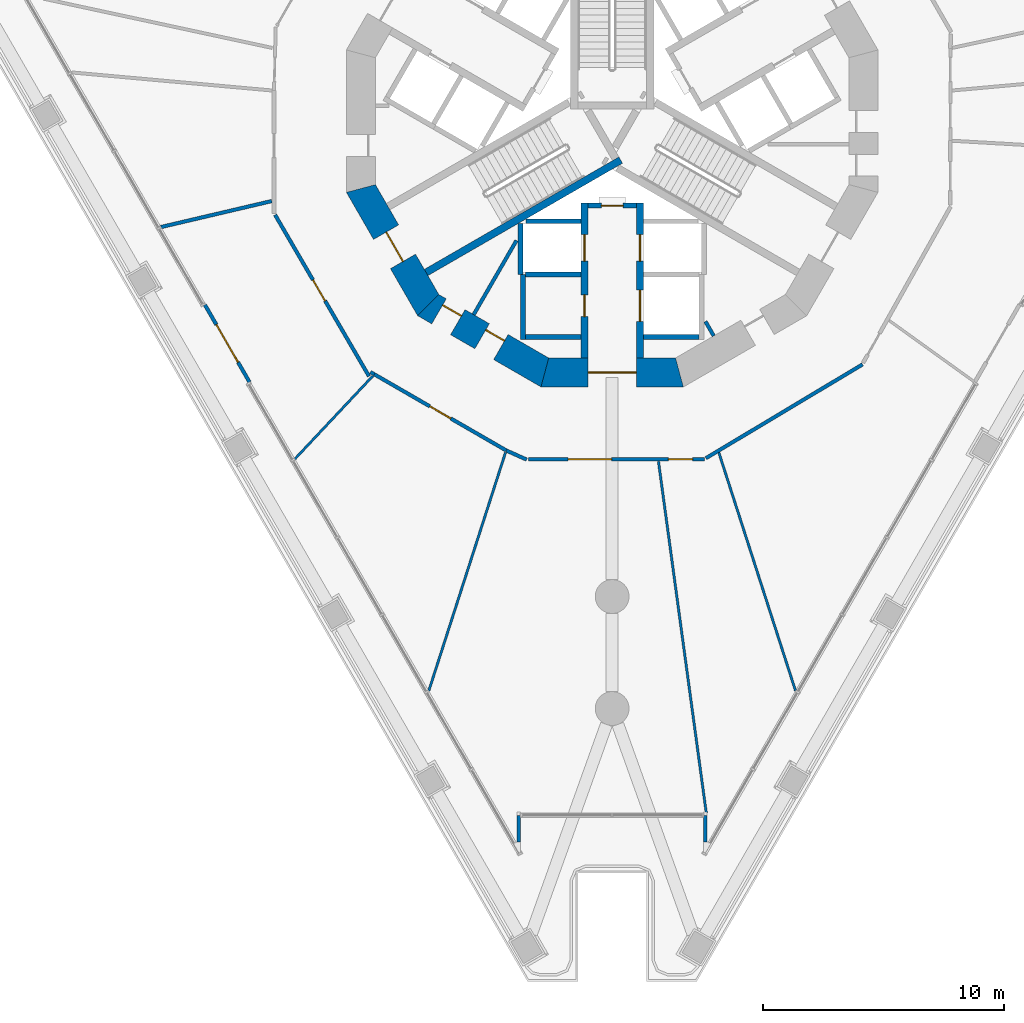
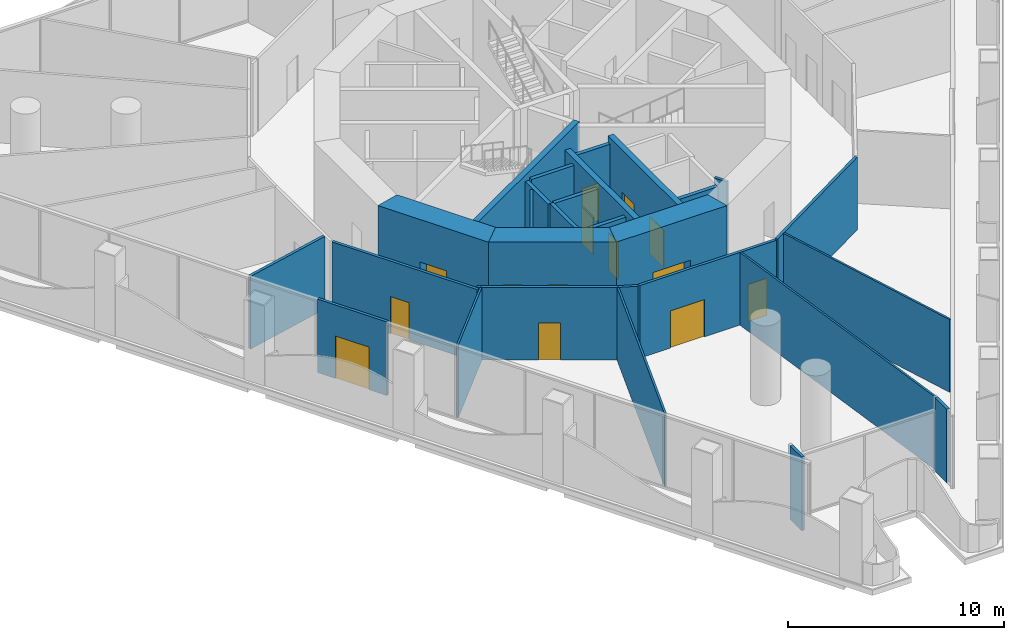
# One storey, part 10 of 22: 29 walls, 14 doors, 14 openings.
"""IFC4 building model written with IfcOpenShell, lengths in metres."""

from ifc_helpers import new_model, si_unit, direction, frame, frame_2d, origin, place, context, subcontext, project, spatial, polyline, rectangle, outline, extrude, material, layer, layer_set, type_object, element, fill, save


model = new_model("IFC4")

# Units and contexts
model_context = context("Model", 3, precision=1e-05, world=origin(), true_north=direction((0.0, 1.0)))
body_context = subcontext(model_context, "Body", "Model", "MODEL_VIEW")
ifc_project = project(units=[si_unit("LENGTHUNIT", "METRE"), si_unit("AREAUNIT", "SQUARE_METRE"), si_unit("VOLUMEUNIT", "CUBIC_METRE"), si_unit("PLANEANGLEUNIT", "RADIAN"), si_unit("MASSUNIT", "GRAM", prefix="KILO")], contexts=[model_context])

# Site, building, storey
site_placement = place(None, origin())
site = spatial("IfcSite", under=ifc_project, at=site_placement, CompositionType="ELEMENT")
building_placement = place(site_placement, origin())
building = spatial("IfcBuilding", under=site, at=building_placement, Name="Trine Commons Tower", CompositionType="ELEMENT")
storey_placement = place(building_placement, frame((0.0, 0.0, 22.5)))
storey = spatial("IfcBuildingStorey", under=building, at=storey_placement, Name="L04", CompositionType="ELEMENT", Elevation=22.5)

# Wall
ifc_material_1 = material(Name="Plasterboard on steel stud", Category="steel")
ifc_layer_1 = layer(ifc_material_1, 0.14990234375)
ifc_layer_set_1 = layer_set([ifc_layer_1], Name="Plasterboard on steel stud")
wall_type_1 = type_object("IfcWallType", Name="Compartment wall 150 mm, EI 60", PredefinedType="PARTITIONING", material=ifc_layer_set_1)
wall_1_placement = place(storey_placement, frame((61.304443359375, 58.112548828125, 0.0), z_axis=(0.0, 0.0, 1.0), x_axis=(0.97354870474, 0.228479582237, 0.0)))
element("IfcWall", 1, at=wall_1_placement, inside=storey, type_object=wall_type_1, Name="Partition P4005", PredefinedType="PARTITIONING", context=body_context, shape_type="SweptSolid", body=[
    extrude(rectangle(XDim=4.716552734375, YDim=0.14990234375, at=frame_2d((2.3583984375, 0.0))), origin(), (0.0, 0.0, 1.0), 4.10009765625),
])

# Wall, opening, door
wall_2_placement = place(storey_placement, frame((69.924560546875, 51.929931640625, 0.0), z_axis=(0.0, 0.0, 1.0), x_axis=(-0.50294072852, 0.864320903135, 0.0)))
wall_2 = element("IfcWall", 2, at=wall_2_placement, inside=storey, type_object=wall_type_1, Name="Partition P4008", PredefinedType="PARTITIONING", context=body_context, shape_type="SweptSolid", body=[
    extrude(rectangle(XDim=7.73681640625, YDim=0.14990234375, at=frame_2d((3.868408203125, 0.0))), origin(), (0.0, 0.0, 1.0), 4.10009765625),
])
opening_1_placement = place(wall_2_placement, frame((3.6162109375, 0.0, 0.0)))
opening_1 = element("IfcOpeningElement", 3, at=opening_1_placement, cuts=wall_2, Name="Opening D-P402", PredefinedType="OPENING", context=body_context, shape_type="SweptSolid", body=[
    extrude(rectangle(XDim=1.0, YDim=2.10009765625, at=frame_2d((0.5, 1.050048828125))), frame((0.0, 0.0849609375, 0.0), z_axis=(0.0, -1.0, 0.0), x_axis=(1.0, 0.0, 0.0)), (0.0, 0.0, 1.0), 0.169921875),
])
ifc_material_2 = material(Name="Timber fire door set", Category="wood")
door_type_1 = type_object("IfcDoorType", Name="Single swing door 1000x2100, FD30S", OperationType="SINGLE_SWING_LEFT", PredefinedType="DOOR", material=ifc_material_2)
door_1_placement = place(opening_1_placement, origin())
door_1 = element("IfcDoor", 4, at=door_1_placement, inside=storey, type_object=door_type_1, Name="Door D-P402", OperationType="SINGLE_SWING_LEFT", OverallHeight=2.10009765625, OverallWidth=1.0, PredefinedType="DOOR", context=body_context, shape_type="SweptSolid", body=[
    extrude(rectangle(XDim=1.0, YDim=2.10009765625, at=frame_2d((0.5, 1.050048828125))), frame((0.0, 0.02490234375, 0.0), z_axis=(0.0, -1.0, 0.0), x_axis=(1.0, 0.0, 0.0)), (0.0, 0.0, 1.0), 0.050048828125),
])
fill(opening_1, door_1)

# Wall
wall_3_placement = place(storey_placement, frame((69.9853515625, 52.102783203125, 0.0), z_axis=(0.0, 0.0, 1.0), x_axis=(0.865916841101, -0.500187988959, 0.0)))
element("IfcWall", 5, at=wall_3_placement, inside=storey, type_object=wall_type_1, Name="Partition P4014", PredefinedType="PARTITIONING", context=body_context, shape_type="SweptSolid", body=[
    extrude(rectangle(XDim=0.181640625, YDim=0.14990234375, at=frame_2d((0.0908203125, 0.0))), origin(), (0.0, 0.0, 1.0), 4.10009765625),
])

# Wall, opening, door
wall_4_placement = place(storey_placement, frame((75.6083984375, 48.856201171875, 0.0), z_axis=(0.0, 0.0, 1.0), x_axis=(-0.866007012682, 0.500031852971, 0.0)))
wall_4 = element("IfcWall", 6, at=wall_4_placement, inside=storey, type_object=wall_type_1, Name="Partition P4016", PredefinedType="PARTITIONING", context=body_context, shape_type="SweptSolid", body=[
    extrude(rectangle(XDim=6.306640625, YDim=0.14990234375, at=frame_2d((3.1533203125, 0.0))), origin(), (0.0, 0.0, 1.0), 4.10009765625),
])
opening_2_placement = place(wall_4_placement, frame((2.6533203125, 0.0, 0.0)))
opening_2 = element("IfcOpeningElement", 7, at=opening_2_placement, cuts=wall_4, Name="Opening D-P407", PredefinedType="OPENING", context=body_context, shape_type="SweptSolid", body=[
    extrude(rectangle(XDim=1.0, YDim=2.10009765625, at=frame_2d((0.5, 1.050048828125))), frame((0.0, 0.0849609375, 0.0), z_axis=(0.0, -1.0, 0.0), x_axis=(1.0, 0.0, 0.0)), (0.0, 0.0, 1.0), 0.169921875),
])
door_2_placement = place(opening_2_placement, origin())
door_2 = element("IfcDoor", 8, at=door_2_placement, inside=storey, type_object=door_type_1, Name="Door D-P407", OperationType="SINGLE_SWING_LEFT", OverallHeight=2.10009765625, OverallWidth=1.0, PredefinedType="DOOR", context=body_context, shape_type="SweptSolid", body=[
    extrude(rectangle(XDim=1.0, YDim=2.10009765625, at=frame_2d((0.5, 1.050048828125))), frame((0.0, 0.02490234375, 0.0), z_axis=(0.0, -1.0, 0.0), x_axis=(1.0, 0.0, 0.0)), (0.0, 0.0, 1.0), 0.050048828125),
])
fill(opening_2, door_2)

# Wall
wall_5_placement = place(storey_placement, frame((75.6171875, 48.852294921875, 0.0), z_axis=(0.0, 0.0, 1.0), x_axis=(0.912625456009, -0.408796742948, 0.0)))
element("IfcWall", 9, at=wall_5_placement, inside=storey, type_object=wall_type_1, Name="Partition P4020", PredefinedType="PARTITIONING", context=body_context, shape_type="SweptSolid", body=[
    extrude(rectangle(XDim=0.919677734375, YDim=0.14990234375, at=frame_2d((0.4599609375, 0.0))), origin(), (0.0, 0.0, 1.0), 4.10009765625),
])

# Wall, openings, doors
wall_6_placement = place(storey_placement, frame((83.829345703125, 48.488525390625, 0.0), z_axis=(0.0, 0.0, 1.0), x_axis=(-1.0, 0.0, 0.0)))
wall_6 = element("IfcWall", 10, at=wall_6_placement, inside=storey, type_object=wall_type_1, Name="Partition P4021", PredefinedType="PARTITIONING", context=body_context, shape_type="SweptSolid", body=[
    extrude(rectangle(XDim=7.3037109375, YDim=0.14990234375, at=frame_2d((3.65185546875, 0.0))), origin(), (0.0, 0.0, 1.0), 4.10009765625),
])
opening_3_placement = place(wall_6_placement, frame((3.853515625, 0.0, 0.0)))
opening_3 = element("IfcOpeningElement", 11, at=opening_3_placement, cuts=wall_6, Name="Opening D-P409", PredefinedType="OPENING", context=body_context, shape_type="SweptSolid", body=[
    extrude(rectangle(XDim=1.800048828125, YDim=2.10009765625, at=frame_2d((0.89990234375, 1.050048828125))), frame((0.0, 0.0849609375, 0.0), z_axis=(0.0, -1.0, 0.0), x_axis=(1.0, 0.0, 0.0)), (0.0, 0.0, 1.0), 0.169921875),
])
opening_4_placement = place(wall_6_placement, frame((0.499267578125, 0.0, 0.0)))
opening_4 = element("IfcOpeningElement", 12, at=opening_4_placement, cuts=wall_6, Name="Opening D-P410", PredefinedType="OPENING", context=body_context, shape_type="SweptSolid", body=[
    extrude(rectangle(XDim=1.0, YDim=2.10009765625, at=frame_2d((0.5, 1.050048828125))), frame((0.0, 0.0849609375, 0.0), z_axis=(0.0, -1.0, 0.0), x_axis=(1.0, 0.0, 0.0)), (0.0, 0.0, 1.0), 0.169921875),
])
door_type_2 = type_object("IfcDoorType", Name="Double swing door 1800x2100, FD30S", OperationType="DOUBLE_DOOR_DOUBLE_SWING", PredefinedType="DOOR", material=ifc_material_2)
door_3_placement = place(opening_3_placement, origin())
door_3 = element("IfcDoor", 13, at=door_3_placement, inside=storey, type_object=door_type_2, Name="Door D-P409", OperationType="DOUBLE_DOOR_DOUBLE_SWING", OverallHeight=2.10009765625, OverallWidth=1.800048828125, PredefinedType="DOOR", context=body_context, shape_type="SweptSolid", body=[
    extrude(rectangle(XDim=1.800048828125, YDim=2.10009765625, at=frame_2d((0.89990234375, 1.050048828125))), frame((0.0, 0.02490234375, 0.0), z_axis=(0.0, -1.0, 0.0), x_axis=(1.0, 0.0, 0.0)), (0.0, 0.0, 1.0), 0.050048828125),
])
fill(opening_3, door_3)
door_4_placement = place(opening_4_placement, origin())
door_4 = element("IfcDoor", 14, at=door_4_placement, inside=storey, type_object=door_type_1, Name="Door D-P410", OperationType="SINGLE_SWING_LEFT", OverallHeight=2.10009765625, OverallWidth=1.0, PredefinedType="DOOR", context=body_context, shape_type="SweptSolid", body=[
    extrude(rectangle(XDim=1.0, YDim=2.10009765625, at=frame_2d((0.5, 1.050048828125))), frame((0.0, 0.02490234375, 0.0), z_axis=(0.0, -1.0, 0.0), x_axis=(1.0, 0.0, 0.0)), (0.0, 0.0, 1.0), 0.050048828125),
])
fill(opening_4, door_4)

# Walls
wall_7_placement = place(storey_placement, frame((83.883056640625, 48.533447265625, 0.0), z_axis=(0.0, 0.0, 1.0), x_axis=(0.857959606998, 0.513717152488, 0.0)))
element("IfcWall", 15, at=wall_7_placement, inside=storey, type_object=wall_type_1, Name="Partition P4026", PredefinedType="PARTITIONING", context=body_context, shape_type="SweptSolid", body=[
    extrude(rectangle(XDim=7.564453125, YDim=0.14990234375, at=frame_2d((3.7822265625, 0.0))), origin(), (0.0, 0.0, 1.0), 4.10009765625),
])
ifc_material_3 = material(Name="Plasterboard partition on steel studs", Category="steel")
ifc_layer_2 = layer(ifc_material_3, 0.14990234375)
ifc_layer_set_2 = layer_set([ifc_layer_2], Name="Plasterboard partition on steel studs")
wall_type_2 = type_object("IfcWallType", Name="Core room partition 150 mm, EI 60", PredefinedType="PARTITIONING", material=ifc_layer_set_2)
wall_8_placement = place(storey_placement, frame((74.260986328125, 54.48388671875, 0.0), z_axis=(0.0, 0.0, 1.0), x_axis=(0.500062019353, 0.865989593933, 0.0)))
element("IfcWall", 16, at=wall_8_placement, inside=storey, type_object=wall_type_2, Name="Core room partition L04", PredefinedType="PARTITIONING", context=body_context, shape_type="SweptSolid", body=[
    extrude(rectangle(XDim=3.54736328125, YDim=0.14990234375, at=frame_2d((1.773681640625, 0.0))), origin(), (0.0, 0.0, 1.0), 4.14990234375),
])
wall_9_placement = place(storey_placement, frame((84.2099609375, 53.60205078125, 0.0), z_axis=(0.0, 0.0, 1.0), x_axis=(-0.500366091518, 0.865813937552, 0.0)))
element("IfcWall", 17, at=wall_9_placement, inside=storey, type_object=wall_type_2, Name="Core room partition L04", PredefinedType="PARTITIONING", context=body_context, shape_type="SweptSolid", body=[
    extrude(rectangle(XDim=0.689453125, YDim=0.14990234375, at=frame_2d((0.3447265625, 0.0))), origin(), (0.0, 0.0, 1.0), 4.14990234375),
])

# Wall, opening, door
ifc_material_4 = material(Name="Aluminium-framed insulated wall panel", Category="aluminium")
ifc_layer_3 = layer(ifc_material_4, 0.14990234375)
ifc_layer_set_3 = layer_set([ifc_layer_3], Name="Aluminium-framed insulated wall panel")
wall_type_3 = type_object("IfcWallType", Name="Glazed entrance wall 150, EI 60", PredefinedType="SOLIDWALL", material=ifc_layer_set_3)
wall_10_placement = place(storey_placement, frame((64.972900390625, 51.688232421875, 0.0), z_axis=(0.0, 0.0, 1.0), x_axis=(-0.499979560991, 0.86603720393, 0.0)))
wall_10 = element("IfcWall", 18, at=wall_10_placement, inside=storey, type_object=wall_type_3, Name="Glazed entrance wall L04 F3 7", PredefinedType="SOLIDWALL", context=body_context, shape_type="SweptSolid", body=[
    extrude(rectangle(XDim=3.698974609375, YDim=0.14990234375, at=frame_2d((1.849609375, 0.0))), origin(), (0.0, 0.0, 1.0), 4.14990234375),
])
opening_5_placement = place(wall_10_placement, frame((0.949462890625, 0.0, 0.0)))
opening_5 = element("IfcOpeningElement", 19, at=opening_5_placement, cuts=wall_10, Name="Opening SD-L04-F3-07", PredefinedType="OPENING", context=body_context, shape_type="SweptSolid", body=[
    extrude(rectangle(XDim=1.800048828125, YDim=2.39990234375, at=frame_2d((0.89990234375, 1.199951171875))), frame((0.0, 0.0849609375, 0.0), z_axis=(0.0, -1.0, 0.0), x_axis=(1.0, 0.0, 0.0)), (0.0, 0.0, 1.0), 0.169921875),
])
ifc_material_5 = material(Name="Anodised aluminium frame with double glazing", Category="aluminium")
door_type_3 = type_object("IfcDoorType", Name="Sliding double door 1800x2400", OperationType="DOUBLE_DOOR_SLIDING", PredefinedType="DOOR", material=ifc_material_5)
door_5_placement = place(opening_5_placement, origin())
door_5 = element("IfcDoor", 20, at=door_5_placement, inside=storey, type_object=door_type_3, Name="Loggia door L04 F3 7", OperationType="DOUBLE_DOOR_SLIDING", OverallHeight=2.39990234375, OverallWidth=1.800048828125, PredefinedType="DOOR", context=body_context, shape_type="SweptSolid", body=[
    extrude(rectangle(XDim=1.800048828125, YDim=2.39990234375, at=frame_2d((0.89990234375, 1.199951171875))), frame((0.0, 0.02490234375, 0.0), z_axis=(0.0, -1.0, 0.0), x_axis=(1.0, 0.0, 0.0)), (0.0, 0.0, 1.0), 0.050048828125),
])
fill(opening_5, door_5)

# Walls
ifc_layer_4 = layer(ifc_material_4, 0.14990234375)
ifc_layer_set_4 = layer_set([ifc_layer_4], Name="Aluminium-framed insulated wall panel")
wall_type_4 = type_object("IfcWallType", Name="Glazed frame wall 150, EI 60", PredefinedType="SOLIDWALL", material=ifc_layer_set_4)
wall_11_placement = place(storey_placement, frame((83.864990234375, 32.48583984375, 0.0), z_axis=(0.0, 0.0, 1.0), x_axis=(0.0, 1.0, 0.0)))
element("IfcWall", 21, at=wall_11_placement, inside=storey, type_object=wall_type_4, Name="Glazed frame wall L04 R9", PredefinedType="SOLIDWALL", context=body_context, shape_type="SweptSolid", body=[
    extrude(outline(polyline([(0.1494140625, 0.074951171875), (0.1494140625, -0.074951171875), (1.235107421875, -0.074951171875), (1.235107421875, 0.074951171875), (0.1494140625, 0.074951171875)])), origin(), (0.0, 0.0, 1.0), 4.14990234375),
])
wall_12_placement = place(storey_placement, frame((76.135009765625, 33.830810546875, 0.0), z_axis=(0.0, 0.0, 1.0), x_axis=(0.0, -1.0, 0.0)))
element("IfcWall", 22, at=wall_12_placement, inside=storey, type_object=wall_type_4, Name="Glazed frame wall L04 R11", PredefinedType="SOLIDWALL", context=body_context, shape_type="SweptSolid", body=[
    extrude(outline(polyline([(0.110107421875, 0.074951171875), (0.110107421875, -0.074951171875), (1.19580078125, -0.074951171875), (1.19580078125, 0.074951171875), (0.110107421875, 0.074951171875)])), origin(), (0.0, 0.0, 1.0), 4.14990234375),
])

# Wall, opening, door
ifc_material_6 = material(Name="Fire-rated gypsum shaft wall system")
ifc_layer_5 = layer(ifc_material_6, 0.199951171875)
ifc_layer_set_5 = layer_set([ifc_layer_5], Name="Fire-rated gypsum shaft wall system")
wall_type_5 = type_object("IfcWallType", Name="Lobby end wall 200 mm, EI 120", PredefinedType="PARTITIONING", material=ifc_layer_set_5)
wall_13_placement = place(storey_placement, frame((79.0, 59.0, 0.0), z_axis=(0.0, 0.0, 1.0), x_axis=(1.0, 0.0, 0.0)))
wall_13 = element("IfcWall", 23, at=wall_13_placement, inside=storey, type_object=wall_type_5, Name="Lobby end wall L04", PredefinedType="PARTITIONING", context=body_context, shape_type="SweptSolid", body=[
    extrude(rectangle(XDim=2.0, YDim=0.199951171875, at=frame_2d((1.0, 0.0))), origin(), (0.0, 0.0, 1.0), 4.14990234375),
])
opening_6_placement = place(wall_13_placement, frame((0.550048828125, 0.0, 0.0)))
opening_6 = element("IfcOpeningElement", 24, at=opening_6_placement, cuts=wall_13, Name="Opening K07.09", PredefinedType="OPENING", context=body_context, shape_type="SweptSolid", body=[
    extrude(rectangle(XDim=0.89990234375, YDim=2.10009765625, at=frame_2d((0.449951171875, 1.050048828125))), frame((0.0, 0.10986328125, 0.0), z_axis=(0.0, -1.0, 0.0), x_axis=(1.0, 0.0, 0.0)), (0.0, 0.0, 1.0), 0.219970703125),
])
ifc_material_7 = material(Name="Steel door leaf, fire-rated", Category="steel")
door_type_4 = type_object("IfcDoorType", Name="Riser access door, single leaf 900 x 2100, FD60", OperationType="SINGLE_SWING_LEFT", PredefinedType="DOOR", material=ifc_material_7)
door_6_placement = place(opening_6_placement, frame((0.89990234375, 0.0, 0.0), z_axis=(0.0, 0.0, 1.0), x_axis=(-1.0, 0.0, 0.0)))
door_6 = element("IfcDoor", 25, at=door_6_placement, inside=storey, type_object=door_type_4, Name="Riser door, Communications riser L04", OperationType="SINGLE_SWING_RIGHT", OverallHeight=2.10009765625, OverallWidth=0.89990234375, PredefinedType="DOOR", context=body_context, shape_type="SweptSolid", body=[
    extrude(rectangle(XDim=0.89990234375, YDim=2.10009765625, at=frame_2d((0.449951171875, 1.050048828125))), frame((0.0, 0.02490234375, 0.0), z_axis=(0.0, -1.0, 0.0), x_axis=(1.0, 0.0, 0.0)), (0.0, 0.0, 1.0), 0.050048828125),
])
fill(opening_6, door_6)

# Walls
ifc_layer_6 = layer(ifc_material_1, 0.10009765625)
ifc_layer_set_6 = layer_set([ifc_layer_6], Name="Plasterboard on steel stud")
wall_type_6 = type_object("IfcWallType", Name="Partition wall 100 mm stud, not rated", PredefinedType="PARTITIONING", material=ifc_layer_set_6)
wall_14_placement = place(storey_placement, frame((66.852783203125, 48.50244140625, 0.0), z_axis=(0.0, 0.0, 1.0), x_axis=(0.6846080524, 0.728911390081, 0.0)))
element("IfcWall", 26, at=wall_14_placement, inside=storey, type_object=wall_type_6, Name="Partition P4011", PredefinedType="PARTITIONING", context=body_context, shape_type="SweptSolid", body=[
    extrude(rectangle(XDim=4.72265625, YDim=0.10009765625, at=frame_2d((2.361328125, 0.0))), origin(), (0.0, 0.0, 1.0), 4.10009765625),
])
wall_15_placement = place(storey_placement, frame((72.401123046875, 38.892578125, 0.0), z_axis=(0.0, 0.0, 1.0), x_axis=(0.306402777515, 0.951901958151, 0.0)))
element("IfcWall", 27, at=wall_15_placement, inside=storey, type_object=wall_type_6, Name="Partition P4018", PredefinedType="PARTITIONING", context=body_context, shape_type="SweptSolid", body=[
    extrude(rectangle(XDim=10.3798828125, YDim=0.10009765625, at=frame_2d((5.18994140625, 0.0))), origin(), (0.0, 0.0, 1.0), 4.10009765625),
])
wall_16_placement = place(storey_placement, frame((81.917236328125, 48.40673828125, 0.0), z_axis=(0.0, 0.0, 1.0), x_axis=(0.134782137646, -0.99087525722, 0.0)))
element("IfcWall", 28, at=wall_16_placement, inside=storey, type_object=wall_type_6, Name="Partition P4025", PredefinedType="PARTITIONING", context=body_context, shape_type="SweptSolid", body=[
    extrude(rectangle(XDim=14.710205078125, YDim=0.10009765625, at=frame_2d((7.35498046875, 0.0))), origin(), (0.0, 0.0, 1.0), 4.10009765625),
])
wall_17_placement = place(storey_placement, frame((84.418701171875, 48.773193359375, 0.0), z_axis=(0.0, 0.0, 1.0), x_axis=(0.306409637805, -0.9518997499, 0.0)))
element("IfcWall", 29, at=wall_17_placement, inside=storey, type_object=wall_type_6, Name="Partition P4028", PredefinedType="PARTITIONING", context=body_context, shape_type="SweptSolid", body=[
    extrude(rectangle(XDim=10.379638671875, YDim=0.10009765625, at=frame_2d((5.18994140625, 0.0))), origin(), (0.0, 0.0, 1.0), 4.10009765625),
])

# Wall, opening, door
ifc_material_8 = material(Name="Concrete C80/95", Category="concrete")
ifc_layer_7 = layer(ifc_material_8, 1.199951171875)
ifc_layer_set_7 = layer_set([ifc_layer_7], Name="Concrete C80/95")
wall_type_7 = type_object("IfcWallType", Name="RC shear wall 1200 mm, C80/95", PredefinedType="SHEAR", material=ifc_layer_set_7)
wall_18_placement = place(storey_placement, frame((69.508056640625, 59.849609375, 0.0), z_axis=(0.0, 0.0, 1.0), x_axis=(0.499979111662, -0.866037463336, 0.0)))
wall_18 = element("IfcWall", 30, at=wall_18_placement, inside=storey, type_object=wall_type_7, Name="Core wall CWA-08 L04", PredefinedType="SHEAR", context=body_context, shape_type="SweptSolid", body=[
    extrude(outline(polyline([(0.0, -0.60009765625), (5.901123046875, -0.60009765625), (5.57958984375, 0.60009765625), (0.321533203125, 0.60009765625), (0.0, -0.60009765625)])), origin(), (0.0, 0.0, 1.0), 4.5),
])
opening_7_placement = place(wall_18_placement, frame((2.25048828125, 0.0, 0.0)))
opening_7 = element("IfcOpeningElement", 31, at=opening_7_placement, cuts=wall_18, Name="Opening K07.02", PredefinedType="OPENING", context=body_context, shape_type="SweptSolid", body=[
    extrude(rectangle(XDim=1.39990234375, YDim=2.10009765625, at=frame_2d((0.699951171875, 1.050048828125))), frame((0.0, 0.60986328125, 0.0), z_axis=(0.0, -1.0, 0.0), x_axis=(1.0, 0.0, 0.0)), (0.0, 0.0, 1.0), 1.219970703125),
])
ifc_material_9 = material(Name="Steel door leaves, fire-rated", Category="steel")
door_type_5 = type_object("IfcDoorType", Name="Stair door, double leaf 1400 x 2100, FD90", OperationType="DOUBLE_DOOR_SINGLE_SWING", PredefinedType="DOOR", material=ifc_material_9)
door_7_placement = place(opening_7_placement, origin())
door_7 = element("IfcDoor", 32, at=door_7_placement, inside=storey, type_object=door_type_5, Name="Stair door to Exit stair ST2A L04", OperationType="DOUBLE_DOOR_SINGLE_SWING", OverallHeight=2.10009765625, OverallWidth=1.39990234375, PredefinedType="DOOR", context=body_context, shape_type="SweptSolid", body=[
    extrude(rectangle(XDim=1.39990234375, YDim=2.10009765625, at=frame_2d((0.699951171875, 1.050048828125))), frame((0.0, 0.02490234375, 0.0), z_axis=(0.0, -1.0, 0.0), x_axis=(1.0, 0.0, 0.0)), (0.0, 0.0, 1.0), 0.050048828125),
])
fill(opening_7, door_7)

# Wall, openings, doors
wall_19_placement = place(storey_placement, frame((72.239013671875, 54.95849609375, 0.0), z_axis=(0.0, 0.0, 1.0), x_axis=(0.866037463336, -0.499979111662, 0.0)))
wall_19 = element("IfcWall", 33, at=wall_19_placement, inside=storey, type_object=wall_type_7, Name="Core wall CWA-09 L04", PredefinedType="SHEAR", context=body_context, shape_type="SweptSolid", body=[
    extrude(outline(polyline([(0.0, -0.60009765625), (5.901123046875, -0.60009765625), (5.57958984375, 0.60009765625), (0.321533203125, 0.60009765625), (0.0, -0.60009765625)])), origin(), (0.0, 0.0, 1.0), 4.5),
])
opening_8_placement = place(wall_19_placement, frame((0.676513671875, 0.0, 0.0)))
opening_8 = element("IfcOpeningElement", 34, at=opening_8_placement, cuts=wall_19, Name="Opening K07.15", PredefinedType="OPENING", context=body_context, shape_type="SweptSolid", body=[
    extrude(rectangle(XDim=0.89990234375, YDim=2.10009765625, at=frame_2d((0.449951171875, 1.050048828125))), frame((0.0, 0.60986328125, 0.0), z_axis=(0.0, -1.0, 0.0), x_axis=(1.0, 0.0, 0.0)), (0.0, 0.0, 1.0), 1.219970703125),
])
opening_9_placement = place(wall_19_placement, frame((2.738525390625, 0.0, 0.0)))
opening_9 = element("IfcOpeningElement", 35, at=opening_9_placement, cuts=wall_19, Name="Opening K07.16", PredefinedType="OPENING", context=body_context, shape_type="SweptSolid", body=[
    extrude(rectangle(XDim=0.89990234375, YDim=2.10009765625, at=frame_2d((0.449951171875, 1.050048828125))), frame((0.0, 0.60986328125, 0.0), z_axis=(0.0, -1.0, 0.0), x_axis=(1.0, 0.0, 0.0)), (0.0, 0.0, 1.0), 1.219970703125),
])
door_type_6 = type_object("IfcDoorType", Name="Core room door, single leaf 900 x 2100, FD30S", OperationType="SINGLE_SWING_LEFT", PredefinedType="DOOR", material=ifc_material_7)
door_8_placement = place(opening_8_placement, origin())
door_8 = element("IfcDoor", 36, at=door_8_placement, inside=storey, type_object=door_type_6, Name="Door to Cleaner's store L04", OperationType="SINGLE_SWING_LEFT", OverallHeight=2.10009765625, OverallWidth=0.89990234375, PredefinedType="DOOR", context=body_context, shape_type="SweptSolid", body=[
    extrude(rectangle(XDim=0.89990234375, YDim=2.10009765625, at=frame_2d((0.449951171875, 1.050048828125))), frame((0.0, 0.3251953125, 0.0), z_axis=(0.0, -1.0, 0.0), x_axis=(1.0, 0.0, 0.0)), (0.0, 0.0, 1.0), 0.050048828125),
])
fill(opening_8, door_8)
door_9_placement = place(opening_9_placement, origin())
door_9 = element("IfcDoor", 37, at=door_9_placement, inside=storey, type_object=door_type_6, Name="Door to Accessible WC L04", OperationType="SINGLE_SWING_RIGHT", OverallHeight=2.10009765625, OverallWidth=0.89990234375, PredefinedType="DOOR", context=body_context, shape_type="SweptSolid", body=[
    extrude(rectangle(XDim=0.89990234375, YDim=2.10009765625, at=frame_2d((0.449951171875, 1.050048828125))), frame((0.0, 0.3251953125, 0.0), z_axis=(0.0, -1.0, 0.0), x_axis=(1.0, 0.0, 0.0)), (0.0, 0.0, 1.0), 0.050048828125),
])
fill(opening_9, door_9)

# Wall, opening, door
wall_20_placement = place(storey_placement, frame((77.049560546875, 52.08837890625, 0.0), z_axis=(0.0, 0.0, 1.0), x_axis=(1.0, 0.0, 0.0)))
wall_20 = element("IfcWall", 38, at=wall_20_placement, inside=storey, type_object=wall_type_7, Name="Core wall CWA-10 L04", PredefinedType="SHEAR", context=body_context, shape_type="SweptSolid", body=[
    extrude(outline(polyline([(0.0, -0.60009765625), (5.90087890625, -0.60009765625), (5.57958984375, 0.60009765625), (0.321533203125, 0.60009765625), (0.0, -0.60009765625)])), origin(), (0.0, 0.0, 1.0), 4.5),
])
opening_10_placement = place(wall_20_placement, frame((1.950439453125, 0.0, 0.0)))
opening_10 = element("IfcOpeningElement", 39, at=opening_10_placement, cuts=wall_20, Name="Opening K07.08", PredefinedType="OPENING", context=body_context, shape_type="SweptSolid", body=[
    extrude(rectangle(XDim=2.0, YDim=2.10009765625, at=frame_2d((1.0, 1.050048828125))), frame((0.0, 0.60986328125, 0.0), z_axis=(0.0, -1.0, 0.0), x_axis=(1.0, 0.0, 0.0)), (0.0, 0.0, 1.0), 1.219970703125),
])
door_type_7 = type_object("IfcDoorType", Name="Lobby door, double leaf 2000 x 2100, FD60", OperationType="DOUBLE_DOOR_SINGLE_SWING", PredefinedType="DOOR", material=ifc_material_9)
door_10_placement = place(opening_10_placement, origin())
door_10 = element("IfcDoor", 40, at=door_10_placement, inside=storey, type_object=door_type_7, Name="Lobby door, Service and firefighting lobby L04", OperationType="DOUBLE_DOOR_SINGLE_SWING", OverallHeight=2.10009765625, OverallWidth=2.0, PredefinedType="DOOR", context=body_context, shape_type="SweptSolid", body=[
    extrude(rectangle(XDim=2.0, YDim=2.10009765625, at=frame_2d((1.0, 1.050048828125))), frame((0.0, 0.02490234375, 0.0), z_axis=(0.0, -1.0, 0.0), x_axis=(1.0, 0.0, 0.0)), (0.0, 0.0, 1.0), 0.050048828125),
])
fill(opening_10, door_10)

# Wall, openings, doors
ifc_layer_8 = layer(ifc_material_8, 0.300048828125)
ifc_layer_set_8 = layer_set([ifc_layer_8], Name="Concrete C80/95")
wall_type_8 = type_object("IfcWallType", Name="RC shear wall 300 mm, C80/95", PredefinedType="SHEAR", material=ifc_layer_set_8)
wall_21_placement = place(storey_placement, frame((78.85009765625, 59.10009765625, 0.0), z_axis=(0.0, 0.0, 1.0), x_axis=(0.0, -1.0, 0.0)))
wall_21 = element("IfcWall", 41, at=wall_21_placement, inside=storey, type_object=wall_type_8, Name="Core cross wall SWA-03 L04", PredefinedType="SHEAR", context=body_context, shape_type="SweptSolid", body=[
    extrude(rectangle(XDim=6.412109375, YDim=0.300048828125, at=frame_2d((3.2060546875, 0.0))), origin(), (0.0, 0.0, 1.0), 4.5),
])
opening_11_placement = place(wall_21_placement, frame((3.800048828125, 0.0, 0.0)))
opening_11 = element("IfcOpeningElement", 42, at=opening_11_placement, cuts=wall_21, Name="Opening K07.10", PredefinedType="OPENING", context=body_context, shape_type="SweptSolid", body=[
    extrude(rectangle(XDim=0.89990234375, YDim=2.10009765625, at=frame_2d((0.449951171875, 1.050048828125))), frame((0.0, 0.159912109375, 0.0), z_axis=(0.0, -1.0, 0.0), x_axis=(1.0, 0.0, 0.0)), (0.0, 0.0, 1.0), 0.320068359375),
])
opening_12_placement = place(wall_21_placement, frame((1.300048828125, 0.0, 0.0)))
opening_12 = element("IfcOpeningElement", 43, at=opening_12_placement, cuts=wall_21, Name="Opening LD10", PredefinedType="OPENING", context=body_context, shape_type="SweptSolid", body=[
    extrude(rectangle(XDim=1.10009765625, YDim=2.10009765625, at=frame_2d((0.550048828125, 1.050048828125))), frame((0.0, 0.159912109375, 0.0), z_axis=(0.0, -1.0, 0.0), x_axis=(1.0, 0.0, 0.0)), (0.0, 0.0, 1.0), 0.320068359375),
])
door_11_placement = place(opening_11_placement, frame((0.89990234375, 0.0, 0.0), z_axis=(0.0, 0.0, 1.0), x_axis=(-1.0, 0.0, 0.0)))
door_11 = element("IfcDoor", 44, at=door_11_placement, inside=storey, type_object=door_type_6, Name="Door to Pantry L04", OperationType="SINGLE_SWING_RIGHT", OverallHeight=2.10009765625, OverallWidth=0.89990234375, PredefinedType="DOOR", context=body_context, shape_type="SweptSolid", body=[
    extrude(rectangle(XDim=0.89990234375, YDim=2.10009765625, at=frame_2d((0.449951171875, 1.050048828125))), frame((0.0, 0.02490234375, 0.0), z_axis=(0.0, -1.0, 0.0), x_axis=(1.0, 0.0, 0.0)), (0.0, 0.0, 1.0), 0.050048828125),
])
fill(opening_11, door_11)
ifc_material_10 = material(Name="Stainless steel sliding door leaves", Category="steel")
door_type_8 = type_object("IfcDoorType", Name="Lift landing door, centre-opening sliding 1100 x 2100, FD90", OperationType="DOUBLE_DOOR_SLIDING", PredefinedType="DOOR", material=ifc_material_10)
door_12_placement = place(opening_12_placement, origin())
door_12 = element("IfcDoor", 45, at=door_12_placement, inside=storey, type_object=door_type_8, Name="Lift landing door FF2 L04", OperationType="DOUBLE_DOOR_SLIDING", OverallHeight=2.10009765625, OverallWidth=1.10009765625, PredefinedType="DOOR", context=body_context, shape_type="SweptSolid", body=[
    extrude(rectangle(XDim=1.10009765625, YDim=2.10009765625, at=frame_2d((0.550048828125, 1.050048828125))), frame((0.0, 0.02490234375, 0.0), z_axis=(0.0, -1.0, 0.0), x_axis=(1.0, 0.0, 0.0)), (0.0, 0.0, 1.0), 0.050048828125),
])
fill(opening_12, door_12)

wall_22_placement = place(storey_placement, frame((81.14990234375, 59.10009765625, 0.0), z_axis=(0.0, 0.0, 1.0), x_axis=(0.0, -1.0, 0.0)))
wall_22 = element("IfcWall", 46, at=wall_22_placement, inside=storey, type_object=wall_type_8, Name="Core cross wall SWA-04 L04", PredefinedType="SHEAR", context=body_context, shape_type="SweptSolid", body=[
    extrude(rectangle(XDim=6.412109375, YDim=0.300048828125, at=frame_2d((3.2060546875, 0.0))), origin(), (0.0, 0.0, 1.0), 4.5),
])
opening_13_placement = place(wall_22_placement, frame((3.60009765625, 0.0, 0.0)))
opening_13 = element("IfcOpeningElement", 47, at=opening_13_placement, cuts=wall_22, Name="Opening LD11", PredefinedType="OPENING", context=body_context, shape_type="SweptSolid", body=[
    extrude(rectangle(XDim=1.300048828125, YDim=2.10009765625, at=frame_2d((0.64990234375, 1.050048828125))), frame((0.0, 0.159912109375, 0.0), z_axis=(0.0, -1.0, 0.0), x_axis=(1.0, 0.0, 0.0)), (0.0, 0.0, 1.0), 0.320068359375),
])
opening_14_placement = place(wall_22_placement, frame((1.300048828125, 0.0, 0.0)))
opening_14 = element("IfcOpeningElement", 48, at=opening_14_placement, cuts=wall_22, Name="Opening LD9", PredefinedType="OPENING", context=body_context, shape_type="SweptSolid", body=[
    extrude(rectangle(XDim=1.10009765625, YDim=2.10009765625, at=frame_2d((0.550048828125, 1.050048828125))), frame((0.0, 0.159912109375, 0.0), z_axis=(0.0, -1.0, 0.0), x_axis=(1.0, 0.0, 0.0)), (0.0, 0.0, 1.0), 0.320068359375),
])
door_13_placement = place(opening_14_placement, origin())
door_13 = element("IfcDoor", 49, at=door_13_placement, inside=storey, type_object=door_type_8, Name="Lift landing door FF1 L04", OperationType="DOUBLE_DOOR_SLIDING", OverallHeight=2.10009765625, OverallWidth=1.10009765625, PredefinedType="DOOR", context=body_context, shape_type="SweptSolid", body=[
    extrude(rectangle(XDim=1.10009765625, YDim=2.10009765625, at=frame_2d((0.550048828125, 1.050048828125))), frame((0.0, 0.02490234375, 0.0), z_axis=(0.0, -1.0, 0.0), x_axis=(1.0, 0.0, 0.0)), (0.0, 0.0, 1.0), 0.050048828125),
])
fill(opening_14, door_13)
door_type_9 = type_object("IfcDoorType", Name="Lift landing door, centre-opening sliding 1300 x 2100, FD90", OperationType="DOUBLE_DOOR_SLIDING", PredefinedType="DOOR", material=ifc_material_10)
door_14_placement = place(opening_13_placement, origin())
door_14 = element("IfcDoor", 50, at=door_14_placement, inside=storey, type_object=door_type_9, Name="Lift landing door G1 L04", OperationType="DOUBLE_DOOR_SLIDING", OverallHeight=2.10009765625, OverallWidth=1.300048828125, PredefinedType="DOOR", context=body_context, shape_type="SweptSolid", body=[
    extrude(rectangle(XDim=1.300048828125, YDim=2.10009765625, at=frame_2d((0.64990234375, 1.050048828125))), frame((0.0, 0.02490234375, 0.0), z_axis=(0.0, -1.0, 0.0), x_axis=(1.0, 0.0, 0.0)), (0.0, 0.0, 1.0), 0.050048828125),
])
fill(opening_13, door_14)

# Walls
wall_23_placement = place(storey_placement, frame((80.35400390625, 60.885986328125, 0.0), z_axis=(0.0, 0.0, 1.0), x_axis=(-0.865986456211, -0.50006745311, 0.0)))
element("IfcWall", 51, at=wall_23_placement, inside=storey, type_object=wall_type_8, Name="Core cross wall SWA-14 L04", PredefinedType="SHEAR", context=body_context, shape_type="SweptSolid", body=[
    extrude(rectangle(XDim=9.310791015625, YDim=0.300048828125, at=frame_2d((4.6552734375, 0.0))), origin(), (0.0, 0.0, 1.0), 4.5),
])
ifc_layer_9 = layer(ifc_material_6, 0.199951171875)
ifc_layer_set_9 = layer_set([ifc_layer_9], Name="Fire-rated gypsum shaft wall system")
wall_type_9 = type_object("IfcWallType", Name="Shaft wall 200 mm, EI 120", PredefinedType="PARTITIONING", material=ifc_layer_set_9)
wall_24_placement = place(storey_placement, frame((76.199951171875, 58.256103515625, 0.0), z_axis=(0.0, 0.0, 1.0), x_axis=(0.0, -1.0, 0.0)))
element("IfcWall", 52, at=wall_24_placement, inside=storey, type_object=wall_type_9, Name="Shaft wall L04", PredefinedType="PARTITIONING", context=body_context, shape_type="SweptSolid", body=[
    extrude(rectangle(XDim=2.106201171875, YDim=0.199951171875, at=frame_2d((1.05322265625, 0.0))), origin(), (0.0, 0.0, 1.0), 4.14990234375),
])
wall_25_placement = place(storey_placement, frame((76.300048828125, 56.14990234375, 0.0), z_axis=(0.0, 0.0, 1.0), x_axis=(0.0, -1.0, 0.0)))
element("IfcWall", 53, at=wall_25_placement, inside=storey, type_object=wall_type_9, Name="Shaft wall L04", PredefinedType="PARTITIONING", context=body_context, shape_type="SweptSolid", body=[
    extrude(rectangle(XDim=2.699951171875, YDim=0.199951171875, at=frame_2d((1.35009765625, 0.0))), origin(), (0.0, 0.0, 1.0), 4.14990234375),
])
for number, where, z_axis, x_axis, name in (
    (54, (78.699951171875, 53.550048828125, 0.0), (0.0, 0.0, 1.0), (-1.0, 0.0, 0.0), "Shaft wall L04"),
    (55, (78.699951171875, 56.14990234375, 0.0), (0.0, 0.0, 1.0), (-1.0, 0.0, 0.0), "Shaft wall L04"),
):
    element("IfcWall", number, at=place(storey_placement, frame(where, z_axis=z_axis, x_axis=x_axis)), inside=storey, type_object=wall_type_9, Name=name, PredefinedType="PARTITIONING", context=body_context, shape_type="SweptSolid", body=[
        extrude(rectangle(XDim=2.300048828125, YDim=0.199951171875, at=frame_2d((1.14990234375, 0.0))), origin(), (0.0, 0.0, 1.0), 4.14990234375),
    ])
wall_26_placement = place(storey_placement, frame((78.699951171875, 58.35009765625, 0.0), z_axis=(0.0, 0.0, 1.0), x_axis=(-1.0, 0.0, 0.0)))
element("IfcWall", 56, at=wall_26_placement, inside=storey, type_object=wall_type_9, Name="Shaft wall L04", PredefinedType="PARTITIONING", context=body_context, shape_type="SweptSolid", body=[
    extrude(rectangle(XDim=2.264892578125, YDim=0.199951171875, at=frame_2d((1.13232421875, 0.0))), origin(), (0.0, 0.0, 1.0), 4.14990234375),
])
wall_27_placement = place(storey_placement, frame((81.300048828125, 53.550048828125, 0.0), z_axis=(0.0, 0.0, 1.0), x_axis=(1.0, 0.0, 0.0)))
element("IfcWall", 57, at=wall_27_placement, inside=storey, type_object=wall_type_9, Name="Shaft wall L04", PredefinedType="PARTITIONING", context=body_context, shape_type="SweptSolid", body=[
    extrude(rectangle(XDim=2.300048828125, YDim=0.199951171875, at=frame_2d((1.14990234375, 0.0))), origin(), (0.0, 0.0, 1.0), 4.14990234375),
])

save(model, "model.ifc")
